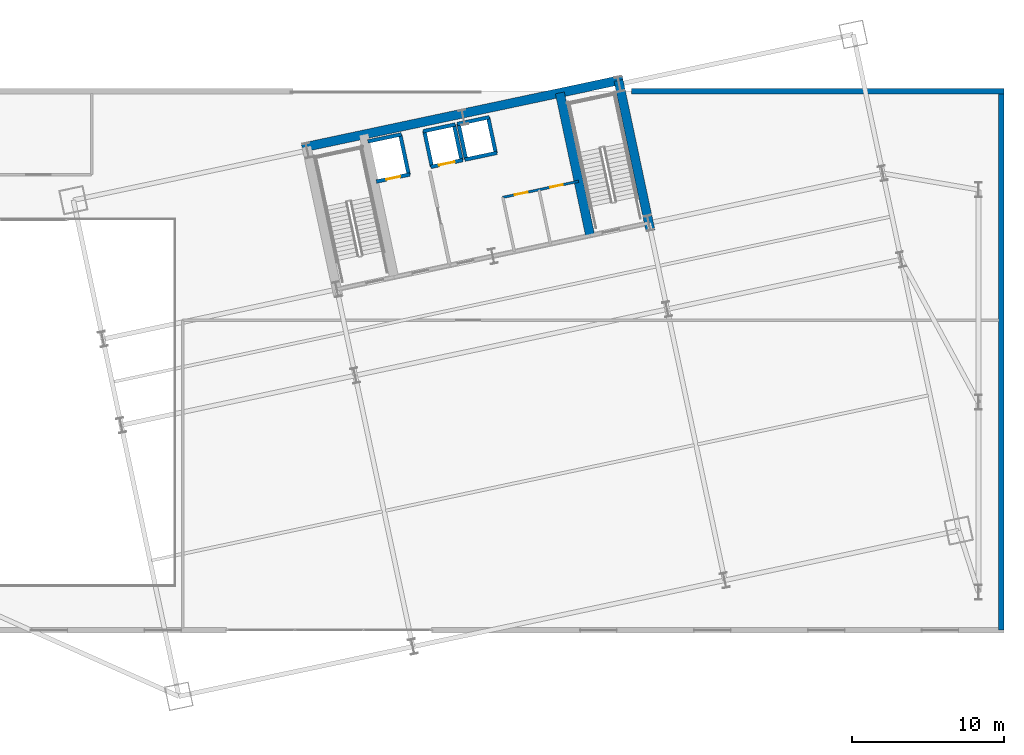
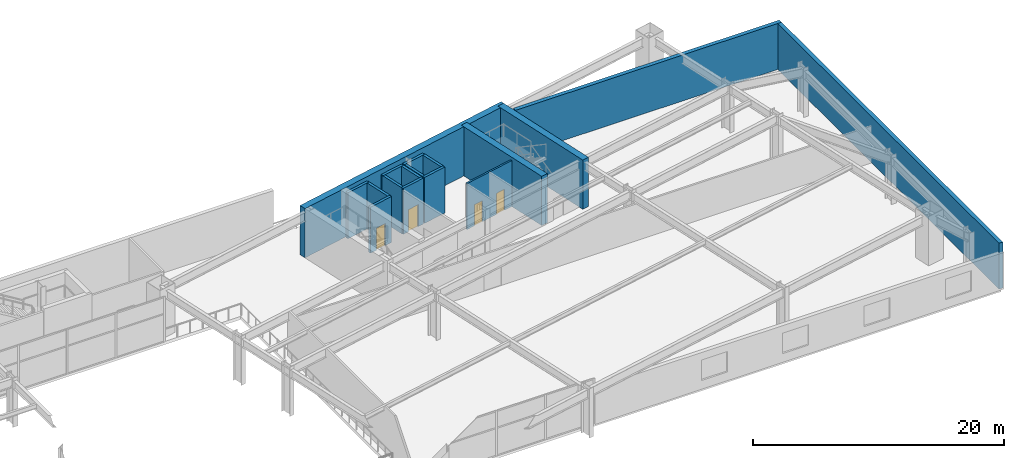
# One storey, part 20 of 30: 17 walls, 4 doors, 4 openings.
"""IFC4 building model written with IfcOpenShell, lengths in metres."""

from ifc_helpers import new_model, si_unit, direction, frame, frame_2d, origin, place, context, subcontext, project, spatial, rectangle, extrude, material, layer, layer_set, type_object, element, fill, save


model = new_model("IFC4")

# Units and contexts
model_context = context("Model", 3, precision=1e-05, world=origin(), true_north=direction((0.0, 1.0)))
body_context = subcontext(model_context, "Body", "Model", "MODEL_VIEW")
ifc_project = project(units=[si_unit("LENGTHUNIT", "METRE"), si_unit("AREAUNIT", "SQUARE_METRE"), si_unit("VOLUMEUNIT", "CUBIC_METRE"), si_unit("PLANEANGLEUNIT", "RADIAN"), si_unit("MASSUNIT", "GRAM", prefix="KILO")], contexts=[model_context])

# Site, building, storey
site_placement = place(None, origin())
site = spatial("IfcSite", under=ifc_project, at=site_placement, CompositionType="ELEMENT")
building_placement = place(site_placement, origin())
building = spatial("IfcBuilding", under=site, at=building_placement, Name="Haevon Station Towers", CompositionType="ELEMENT")
storey_placement = place(building_placement, frame((0.0, 0.0, 15.60009765625)))
storey = spatial("IfcBuildingStorey", under=building, at=storey_placement, Name="L03", CompositionType="ELEMENT", Elevation=15.60009765625)

# Walls
ifc_material_1 = material(Name="Concrete C60/75", Category="concrete")
ifc_layer_1 = layer(ifc_material_1, 0.60009765625)
ifc_layer_set_1 = layer_set([ifc_layer_1], Name="Concrete C60/75")
wall_type_1 = type_object("IfcWallType", Name="WL-CR600", PredefinedType="SHEAR", material=ifc_layer_set_1)
wall_1_placement = place(storey_placement, frame((96.462890625, 46.770263671875, 0.0), z_axis=(0.0, 0.0, 1.0), x_axis=(0.978147272959, 0.207913232873, 0.0)))
element("IfcWall", 1, at=wall_1_placement, inside=storey, type_object=wall_type_1, Name="WL-T2CR-L03-N", PredefinedType="SHEAR", context=body_context, shape_type="SweptSolid", body=[
    extrude(rectangle(XDim=21.60009765625, YDim=0.60009765625, at=frame_2d((10.800048828125, 0.0))), origin(), (0.0, 0.0, 1.0), 4.7998046875),
])
wall_2_placement = place(storey_placement, frame((119.401611328125, 41.2998046875, 0.0), z_axis=(0.0, 0.0, 1.0), x_axis=(-0.207904342798, 0.978149162575, 0.0)))
element("IfcWall", 2, at=wall_2_placement, inside=storey, type_object=wall_type_1, Name="WL-T2CR-L03-E", PredefinedType="SHEAR", context=body_context, shape_type="SweptSolid", body=[
    extrude(rectangle(XDim=10.1201171875, YDim=0.60009765625, at=frame_2d((5.06005859375, 0.0))), origin(), (0.0, 0.0, 1.0), 4.7998046875),
])
wall_3_placement = place(storey_placement, frame((115.4296875, 40.9873046875, 0.0), z_axis=(0.0, 0.0, 1.0), x_axis=(-0.207903162969, 0.978149413345, 0.0)))
element("IfcWall", 3, at=wall_3_placement, inside=storey, type_object=wall_type_1, Name="WL-T2CR-L03-M2", PredefinedType="SHEAR", context=body_context, shape_type="SweptSolid", body=[
    extrude(rectangle(XDim=9.599853515625, YDim=0.60009765625, at=frame_2d((4.7998046875, 0.0))), origin(), (0.0, 0.0, 1.0), 4.7998046875),
])
ifc_material_2 = material(Name="Precast concrete C45/55", Category="concrete")
ifc_layer_2 = layer(ifc_material_2, 0.360107421875)
ifc_layer_set_2 = layer_set([ifc_layer_2], Name="Precast concrete C45/55")
wall_type_2 = type_object("IfcWallType", Name="WL-EXT-POD360", PredefinedType="SOLIDWALL", material=ifc_layer_set_2)
wall_4_placement = place(storey_placement, frame((118.14990234375, 50.5, 0.0), z_axis=(0.0, 0.0, 1.0), x_axis=(1.0, 0.0, 0.0)))
element("IfcWall", 4, at=wall_4_placement, inside=storey, type_object=wall_type_2, Name="WL-POD-L03-N2", PredefinedType="SOLIDWALL", context=body_context, shape_type="SweptSolid", body=[
    extrude(rectangle(XDim=24.530029296875, YDim=0.360107421875, at=frame_2d((12.26513671875, 0.0))), origin(), (0.0, 0.0, 1.0), 4.47998046875),
])
wall_5_placement = place(storey_placement, frame((142.5, 50.5, 0.0), z_axis=(0.0, 0.0, 1.0), x_axis=(0.0, -1.0, 0.0)))
element("IfcWall", 5, at=wall_5_placement, inside=storey, type_object=wall_type_2, Name="WL-POD-L03-E", PredefinedType="SOLIDWALL", context=body_context, shape_type="SweptSolid", body=[
    extrude(rectangle(XDim=35.5, YDim=0.360107421875, at=frame_2d((17.75, 0.0))), origin(), (0.0, 0.0, 1.0), 4.47998046875),
])

# Wall, openings, doors
ifc_material_3 = material(Name="Gypsum board on steel stud", Category="steel")
ifc_layer_3 = layer(ifc_material_3, 0.159912109375)
ifc_layer_set_3 = layer_set([ifc_layer_3], Name="Gypsum board on steel stud")
wall_type_3 = type_object("IfcWallType", Name="WL-PRT160", PredefinedType="PARTITIONING", material=ifc_layer_set_3)
wall_6_placement = place(storey_placement, frame((109.682373046875, 43.497314453125, 0.0), z_axis=(0.0, 0.0, 1.0), x_axis=(0.978149238447, 0.207903985835, 0.0)))
wall_6 = element("IfcWall", 6, at=wall_6_placement, inside=storey, type_object=wall_type_3, Name="WL-T2CW-L03-03", PredefinedType="PARTITIONING", context=body_context, shape_type="SweptSolid", body=[
    extrude(rectangle(XDim=5.099853515625, YDim=0.159912109375, at=frame_2d((2.5498046875, 0.0))), origin(), (0.0, 0.0, 1.0), 4.47998046875),
])
opening_1_placement = place(wall_6_placement, frame((0.81005859375, 0.0, 0.0)))
opening_1 = element("IfcOpeningElement", 7, at=opening_1_placement, cuts=wall_6, Name="Opening DR-WL-T2CW-L03-03-1", PredefinedType="OPENING", context=body_context, shape_type="SweptSolid", body=[
    extrude(rectangle(XDim=0.85009765625, YDim=2.050048828125, at=frame_2d((0.425048828125, 1.02490234375))), frame((0.0, 0.08984375, 0.0), z_axis=(0.0, -1.0, 0.0), x_axis=(1.0, 0.0, 0.0)), (0.0, 0.0, 1.0), 0.179931640625),
])
opening_2_placement = place(wall_6_placement, frame((3.179931640625, 0.0, 0.0)))
opening_2 = element("IfcOpeningElement", 8, at=opening_2_placement, cuts=wall_6, Name="Opening DR-WL-T2CW-L03-03-2", PredefinedType="OPENING", context=body_context, shape_type="SweptSolid", body=[
    extrude(rectangle(XDim=0.85009765625, YDim=2.050048828125, at=frame_2d((0.425048828125, 1.02490234375))), frame((0.0, 0.08984375, 0.0), z_axis=(0.0, -1.0, 0.0), x_axis=(1.0, 0.0, 0.0)), (0.0, 0.0, 1.0), 0.179931640625),
])
ifc_material_4 = material(Name="Engineered oak timber", Category="wood")
door_type_1 = type_object("IfcDoorType", Name="DR-FD30-850", OperationType="NOTDEFINED", PredefinedType="DOOR", material=ifc_material_4)
door_1_placement = place(opening_1_placement, origin())
door_1 = element("IfcDoor", 9, at=door_1_placement, inside=storey, type_object=door_type_1, Name="L03 Tower 2 Core Room Door 3-1", OperationType="SINGLE_SWING_RIGHT", OverallHeight=2.050048828125, OverallWidth=0.85009765625, PredefinedType="DOOR", context=body_context, shape_type="SweptSolid", body=[
    extrude(rectangle(XDim=0.85009765625, YDim=2.050048828125, at=frame_2d((0.425048828125, 1.02490234375))), frame((0.0, 0.02490234375, 0.0), z_axis=(0.0, -1.0, 0.0), x_axis=(1.0, 0.0, 0.0)), (0.0, 0.0, 1.0), 0.050048828125),
])
fill(opening_1, door_1)
door_2_placement = place(opening_2_placement, origin())
door_2 = element("IfcDoor", 10, at=door_2_placement, inside=storey, type_object=door_type_1, Name="L03 Tower 2 Core Room Door 3-2", OperationType="SINGLE_SWING_LEFT", OverallHeight=2.050048828125, OverallWidth=0.85009765625, PredefinedType="DOOR", context=body_context, shape_type="SweptSolid", body=[
    extrude(rectangle(XDim=0.85009765625, YDim=2.050048828125, at=frame_2d((0.425048828125, 1.02490234375))), frame((0.0, 0.02490234375, 0.0), z_axis=(0.0, -1.0, 0.0), x_axis=(1.0, 0.0, 0.0)), (0.0, 0.0, 1.0), 0.050048828125),
])
fill(opening_2, door_2)

# Wall, opening, door
ifc_material_5 = material(Name="Concrete C40/50", Category="concrete")
ifc_layer_4 = layer(ifc_material_5, 0.239990234375)
ifc_layer_set_4 = layer_set([ifc_layer_4], Name="Concrete C40/50")
wall_type_4 = type_object("IfcWallType", Name="WL-SHF240", PredefinedType="PARTITIONING", material=ifc_layer_set_4)
wall_7_placement = place(storey_placement, frame((101.353759765625, 44.538330078125, 0.0), z_axis=(0.0, 0.0, 1.0), x_axis=(0.978141002414, 0.207942731049, 0.0)))
wall_7 = element("IfcWall", 11, at=wall_7_placement, inside=storey, type_object=wall_type_4, Name="WL-SHF-FL2-L03", PredefinedType="PARTITIONING", context=body_context, shape_type="SweptSolid", body=[
    extrude(rectangle(XDim=2.260009765625, YDim=0.239990234375, at=frame_2d((1.1298828125, 0.0))), origin(), (0.0, 0.0, 1.0), 4.47998046875),
])
opening_3_placement = place(wall_7_placement, frame((0.655029296875, 0.0, 0.0)))
opening_3 = element("IfcOpeningElement", 12, at=opening_3_placement, cuts=wall_7, Name="Opening LD-FL2-L03", PredefinedType="OPENING", context=body_context, shape_type="SweptSolid", body=[
    extrude(rectangle(XDim=0.949951171875, YDim=2.14990234375, at=frame_2d((0.47509765625, 1.074951171875))), frame((0.0, 0.1298828125, 0.0), z_axis=(0.0, -1.0, 0.0), x_axis=(1.0, 0.0, 0.0)), (0.0, 0.0, 1.0), 0.260009765625),
])
ifc_material_6 = material(Name="Stainless steel and rated core", Category="steel")
door_type_2 = type_object("IfcDoorType", Name="LD-FL950", OperationType="SLIDING_TO_LEFT", PredefinedType="DOOR", material=ifc_material_6)
door_3_placement = place(opening_3_placement, origin())
door_3 = element("IfcDoor", 13, at=door_3_placement, inside=storey, type_object=door_type_2, Name="L03 Lift FL2 Sliding Landing Door", OperationType="SLIDING_TO_LEFT", OverallHeight=2.14990234375, OverallWidth=0.949951171875, PredefinedType="DOOR", context=body_context, shape_type="SweptSolid", body=[
    extrude(rectangle(XDim=0.949951171875, YDim=2.14990234375, at=frame_2d((0.47509765625, 1.074951171875))), frame((0.0, 0.02490234375, 0.0), z_axis=(0.0, -1.0, 0.0), x_axis=(1.0, 0.0, 0.0)), (0.0, 0.0, 1.0), 0.050048828125),
])
fill(opening_3, door_3)

# Walls
wall_8_placement = place(storey_placement, frame((100.79248046875, 47.179443359375, 0.0), z_axis=(0.0, 0.0, 1.0), x_axis=(0.978162968872, 0.207839376268, 0.0)))
element("IfcWall", 14, at=wall_8_placement, inside=storey, type_object=wall_type_4, Name="WL-SHF-FL2-L03-N", PredefinedType="PARTITIONING", context=body_context, shape_type="SweptSolid", body=[
    extrude(rectangle(XDim=2.260009765625, YDim=0.239990234375, at=frame_2d((1.1298828125, 0.0))), origin(), (0.0, 0.0, 1.0), 4.47998046875),
])
wall_9_placement = place(storey_placement, frame((103.486328125, 44.99169921875, 0.0), z_axis=(0.0, 0.0, 1.0), x_axis=(-0.207978798957, 0.978133334052, 0.0)))
element("IfcWall", 15, at=wall_9_placement, inside=storey, type_object=wall_type_4, Name="WL-SHF-FL2-L03-E", PredefinedType="PARTITIONING", context=body_context, shape_type="SweptSolid", body=[
    extrude(rectangle(XDim=2.699951171875, YDim=0.239990234375, at=frame_2d((1.35009765625, 0.0))), origin(), (0.0, 0.0, 1.0), 4.47998046875),
])

# Wall, opening, door
wall_10_placement = place(storey_placement, frame((104.931396484375, 45.503173828125, 0.0), z_axis=(0.0, 0.0, 1.0), x_axis=(0.97813528961, 0.207969601673, 0.0)))
wall_10 = element("IfcWall", 16, at=wall_10_placement, inside=storey, type_object=wall_type_4, Name="WL-SHF-PL7-L03", PredefinedType="PARTITIONING", context=body_context, shape_type="SweptSolid", body=[
    extrude(rectangle(XDim=2.159912109375, YDim=0.239990234375, at=frame_2d((1.080078125, 0.0))), origin(), (0.0, 0.0, 1.0), 4.47998046875),
])
opening_4_placement = place(wall_10_placement, frame((0.554931640625, 0.0, 0.0)))
opening_4 = element("IfcOpeningElement", 17, at=opening_4_placement, cuts=wall_10, Name="Opening LD-PL7-L03", PredefinedType="OPENING", context=body_context, shape_type="SweptSolid", body=[
    extrude(rectangle(XDim=1.050048828125, YDim=2.14990234375, at=frame_2d((0.52490234375, 1.074951171875))), frame((0.0, 0.1298828125, 0.0), z_axis=(0.0, -1.0, 0.0), x_axis=(1.0, 0.0, 0.0)), (0.0, 0.0, 1.0), 0.260009765625),
])
door_type_3 = type_object("IfcDoorType", Name="LD-PL1050", OperationType="SLIDING_TO_LEFT", PredefinedType="DOOR", material=ifc_material_6)
door_4_placement = place(opening_4_placement, origin())
door_4 = element("IfcDoor", 18, at=door_4_placement, inside=storey, type_object=door_type_3, Name="L03 Lift PL7 Sliding Landing Door", OperationType="SLIDING_TO_LEFT", OverallHeight=2.14990234375, OverallWidth=1.050048828125, PredefinedType="DOOR", context=body_context, shape_type="SweptSolid", body=[
    extrude(rectangle(XDim=1.050048828125, YDim=2.14990234375, at=frame_2d((0.52490234375, 1.074951171875))), frame((0.0, 0.02490234375, 0.0), z_axis=(0.0, -1.0, 0.0), x_axis=(1.0, 0.0, 0.0)), (0.0, 0.0, 1.0), 0.050048828125),
])
fill(opening_4, door_4)

# Walls
wall_11_placement = place(storey_placement, frame((104.432373046875, 47.850830078125, 0.0), z_axis=(0.0, 0.0, 1.0), x_axis=(0.978158276388, 0.207861459473, 0.0)))
element("IfcWall", 19, at=wall_11_placement, inside=storey, type_object=wall_type_4, Name="WL-SHF-PL7-L03-N", PredefinedType="PARTITIONING", context=body_context, shape_type="SweptSolid", body=[
    extrude(rectangle(XDim=2.159912109375, YDim=0.239990234375, at=frame_2d((1.080078125, 0.0))), origin(), (0.0, 0.0, 1.0), 4.47998046875),
])
wall_12_placement = place(storey_placement, frame((105.009765625, 45.519775390625, 0.0), z_axis=(0.0, 0.0, 1.0), x_axis=(-0.207917150959, 0.978146440129, 0.0)))
element("IfcWall", 20, at=wall_12_placement, inside=storey, type_object=wall_type_4, Name="WL-SHF-PL7-L03-W", PredefinedType="PARTITIONING", context=body_context, shape_type="SweptSolid", body=[
    extrude(rectangle(XDim=2.400146484375, YDim=0.239990234375, at=frame_2d((1.2001953125, 0.0))), origin(), (0.0, 0.0, 1.0), 4.47998046875),
])
wall_13_placement = place(storey_placement, frame((106.966064453125, 45.935791015625, 0.0), z_axis=(0.0, 0.0, 1.0), x_axis=(-0.207937840262, 0.978142042133, 0.0)))
element("IfcWall", 21, at=wall_13_placement, inside=storey, type_object=wall_type_4, Name="WL-SHF-PL7-L03-E", PredefinedType="PARTITIONING", context=body_context, shape_type="SweptSolid", body=[
    extrude(rectangle(XDim=2.39990234375, YDim=0.239990234375, at=frame_2d((1.199951171875, 0.0))), origin(), (0.0, 0.0, 1.0), 4.47998046875),
])
for number, where, z_axis, x_axis, name in (
    (22, (107.18115234375, 45.9814453125, 0.0), (0.0, 0.0, 1.0), (0.97813528961, 0.207969601673, 0.0), "WL-SHF-PL8-L03"),
    (23, (106.68212890625, 48.3291015625, 0.0), (0.0, 0.0, 1.0), (0.978158276388, 0.207861459473, 0.0), "WL-SHF-PL8-L03-N"),
):
    element("IfcWall", number, at=place(storey_placement, frame(where, z_axis=z_axis, x_axis=x_axis)), inside=storey, type_object=wall_type_4, Name=name, PredefinedType="PARTITIONING", context=body_context, shape_type="SweptSolid", body=[
        extrude(rectangle(XDim=2.159912109375, YDim=0.239990234375, at=frame_2d((1.080078125, 0.0))), origin(), (0.0, 0.0, 1.0), 4.47998046875),
    ])
for number, where, z_axis, x_axis, name in (
    (24, (107.259521484375, 45.998046875, 0.0), (0.0, 0.0, 1.0), (-0.207917150959, 0.978146440129, 0.0), "WL-SHF-PL8-L03-W"),
    (25, (109.2158203125, 46.413818359375, 0.0), (0.0, 0.0, 1.0), (-0.207917150959, 0.978146440129, 0.0), "WL-SHF-PL8-L03-E"),
):
    element("IfcWall", number, at=place(storey_placement, frame(where, z_axis=z_axis, x_axis=x_axis)), inside=storey, type_object=wall_type_4, Name=name, PredefinedType="PARTITIONING", context=body_context, shape_type="SweptSolid", body=[
        extrude(rectangle(XDim=2.400146484375, YDim=0.239990234375, at=frame_2d((1.2001953125, 0.0))), origin(), (0.0, 0.0, 1.0), 4.47998046875),
    ])

save(model, "model.ifc")
